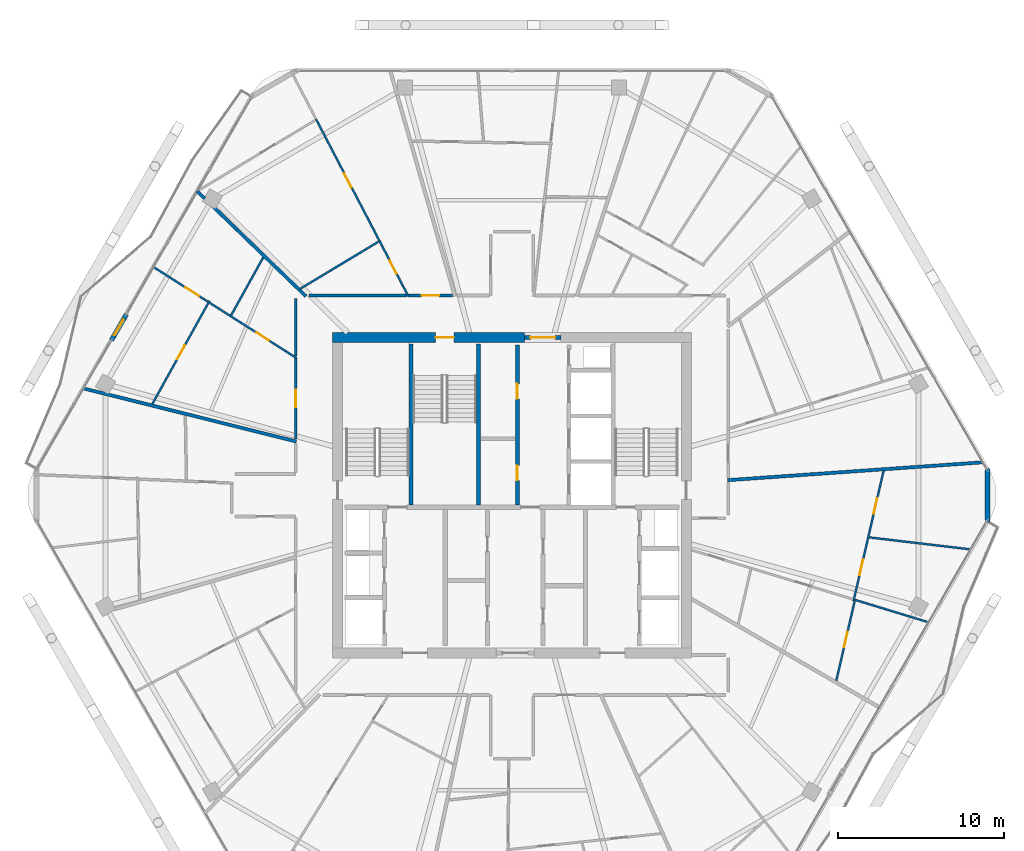
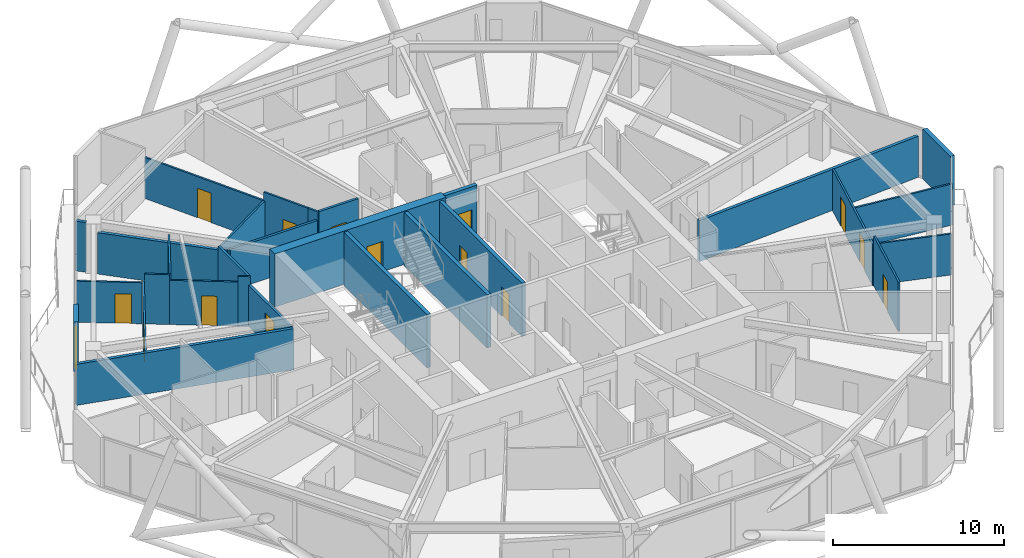
# One storey, part 23 of 29: 29 walls, 15 doors, 15 openings.
"""IFC4 building model written with IfcOpenShell, lengths in metres."""

from ifc_helpers import new_model, si_unit, direction, frame, frame_2d, origin, place, context, subcontext, project, spatial, rectangle, extrude, material, layer, layer_set, type_object, element, fill, save


model = new_model("IFC4")

# Units and contexts
model_context = context("Model", 3, precision=1e-05, world=origin(), true_north=direction((0.0, 1.0)))
body_context = subcontext(model_context, "Body", "Model", "MODEL_VIEW")
ifc_project = project(units=[si_unit("LENGTHUNIT", "METRE"), si_unit("AREAUNIT", "SQUARE_METRE"), si_unit("VOLUMEUNIT", "CUBIC_METRE"), si_unit("PLANEANGLEUNIT", "RADIAN"), si_unit("MASSUNIT", "GRAM", prefix="KILO")], contexts=[model_context])

# Site, building, storey
site_placement = place(None, origin())
site = spatial("IfcSite", under=ifc_project, at=site_placement, CompositionType="ELEMENT")
building_placement = place(site_placement, origin())
building = spatial("IfcBuilding", under=site, at=building_placement, Name="Zuhravey Tower", CompositionType="ELEMENT")
storey_placement = place(building_placement, frame((0.0, 0.0, 246.39990234375)))
storey = spatial("IfcBuildingStorey", under=building, at=storey_placement, Name="L62", CompositionType="ELEMENT", Elevation=246.39990234375)

# Wall, opening, door
ifc_material_1 = material(Name="Concrete C50/60", Category="concrete")
ifc_layer_1 = layer(ifc_material_1, 0.60009765625)
ifc_layer_set_1 = layer_set([ifc_layer_1], Name="Concrete C50/60")
wall_type_1 = type_object("IfcWallType", Name="Core Shear Wall 600", PredefinedType="SHEAR", material=ifc_layer_set_1)
wall_1_placement = place(storey_placement, frame((36.75, 41.5, 0.0), z_axis=(0.0, 0.0, 1.0), x_axis=(-1.0, 0.0, 0.0)))
wall_1 = element("IfcWall", 1, at=wall_1_placement, inside=storey, type_object=wall_type_1, Name="L62 North-West Core Shear Wall CW60", PredefinedType="SHEAR", context=body_context, shape_type="SweptSolid", body=[
    extrude(rectangle(XDim=11.550048828125, YDim=0.60009765625, at=frame_2d((5.77490234375, 0.0))), origin(), (0.0, 0.0, 1.0), 3.800048828125),
])
opening_1_placement = place(wall_1_placement, frame((4.25, 0.0, 0.0)))
opening_1 = element("IfcOpeningElement", 2, at=opening_1_placement, cuts=wall_1, Name="Opening STD1", PredefinedType="OPENING", context=body_context, shape_type="SweptSolid", body=[
    extrude(rectangle(XDim=1.10009765625, YDim=2.14990234375, at=frame_2d((0.550048828125, 1.074951171875))), frame((0.0, 0.31201171875, 0.0), z_axis=(0.0, -1.0, 0.0), x_axis=(1.0, 0.0, 0.0)), (0.0, 0.0, 1.0), 0.6240234375),
])
ifc_material_2 = material(Name="Galvanised fire-rated steel leaf", Category="steel")
door_type_1 = type_object("IfcDoorType", Name="Protected Stair Fire Door 1100x2150", OperationType="NOTDEFINED", PredefinedType="USERDEFINED", material=ifc_material_2)
door_1_placement = place(opening_1_placement, origin())
door_1 = element("IfcDoor", 3, at=door_1_placement, inside=storey, type_object=door_type_1, Name="L62 Stair ST3 Door", ObjectType="EXITDOOR", OperationType="SINGLE_SWING_LEFT", OverallHeight=2.14990234375, OverallWidth=1.10009765625, PredefinedType="USERDEFINED", context=body_context, shape_type="SweptSolid", body=[
    extrude(rectangle(XDim=1.10009765625, YDim=2.14990234375, at=frame_2d((0.550048828125, 1.074951171875))), frame((0.0, 0.02490234375, 0.0), z_axis=(0.0, -1.0, 0.0), x_axis=(1.0, 0.0, 0.0)), (0.0, 0.0, 1.0), 0.050048828125),
])
fill(opening_1, door_1)

ifc_material_3 = material(Name="Gypsum fire-rated stud partition")
ifc_layer_2 = layer(ifc_material_3, 0.159912109375)
ifc_layer_set_2 = layer_set([ifc_layer_2], Name="Gypsum fire-rated stud partition")
wall_type_2 = type_object("IfcWallType", Name="Corridor Fire Partition 160", PredefinedType="PARTITIONING", material=ifc_layer_set_2)
wall_2_placement = place(storey_placement, frame((32.415771484375, 44.030029296875, 0.0), z_axis=(0.0, 0.0, 1.0), x_axis=(-1.0, 0.0, 0.0)))
wall_2 = element("IfcWall", 4, at=wall_2_placement, inside=storey, type_object=wall_type_2, Name="L62 IW16 Partition 024", PredefinedType="PARTITIONING", context=body_context, shape_type="SweptSolid", body=[
    extrude(rectangle(XDim=2.660888671875, YDim=0.159912109375, at=frame_2d((1.33056640625, 0.0))), origin(), (0.0, 0.0, 1.0), 3.550048828125),
])
opening_2_placement = place(wall_2_placement, frame((0.805419921875, 0.0, 0.0)))
opening_2 = element("IfcOpeningElement", 5, at=opening_2_placement, cuts=wall_2, Name="Opening APD1", PredefinedType="OPENING", context=body_context, shape_type="SweptSolid", body=[
    extrude(rectangle(XDim=1.050048828125, YDim=2.14990234375, at=frame_2d((0.52490234375, 1.074951171875))), frame((0.0, 0.092041015625, 0.0), z_axis=(0.0, -1.0, 0.0), x_axis=(1.0, 0.0, 0.0)), (0.0, 0.0, 1.0), 0.183837890625),
])
ifc_material_4 = material(Name="Solid-core oak fire-rated leaf")
door_type_2 = type_object("IfcDoorType", Name="Apartment Entrance Fire Door 1050x2150", OperationType="NOTDEFINED", PredefinedType="DOOR", material=ifc_material_4)
door_2_placement = place(opening_2_placement, frame((1.050048828125, 0.0, 0.0), z_axis=(0.0, 0.0, 1.0), x_axis=(-1.0, 0.0, 0.0)))
door_2 = element("IfcDoor", 6, at=door_2_placement, inside=storey, type_object=door_type_2, Name="L62 Door 024.1", OperationType="SINGLE_SWING_RIGHT", OverallHeight=2.14990234375, OverallWidth=1.050048828125, PredefinedType="DOOR", context=body_context, shape_type="SweptSolid", body=[
    extrude(rectangle(XDim=1.050048828125, YDim=2.14990234375, at=frame_2d((0.52490234375, 1.074951171875))), frame((0.0, 0.02490234375, 0.0), z_axis=(0.0, -1.0, 0.0), x_axis=(1.0, 0.0, 0.0)), (0.0, 0.0, 1.0), 0.050048828125),
])
fill(opening_2, door_2)

wall_3_placement = place(storey_placement, frame((22.969970703125, 40.27099609375, 0.0), z_axis=(0.0, 0.0, 1.0), x_axis=(0.0, -1.0, 0.0)))
wall_3 = element("IfcWall", 7, at=wall_3_placement, inside=storey, type_object=wall_type_2, Name="L62 IW16 Partition 029", PredefinedType="PARTITIONING", context=body_context, shape_type="SweptSolid", body=[
    extrude(rectangle(XDim=4.880615234375, YDim=0.159912109375, at=frame_2d((2.4404296875, 0.0))), origin(), (0.0, 0.0, 1.0), 2.9501953125),
])
opening_3_placement = place(wall_3_placement, frame((1.915283203125, 0.0, 0.0)))
opening_3 = element("IfcOpeningElement", 8, at=opening_3_placement, cuts=wall_3, Name="Opening APD1", PredefinedType="OPENING", context=body_context, shape_type="SweptSolid", body=[
    extrude(rectangle(XDim=1.050048828125, YDim=2.14990234375, at=frame_2d((0.52490234375, 1.074951171875))), frame((0.0, 0.092041015625, 0.0), z_axis=(0.0, -1.0, 0.0), x_axis=(1.0, 0.0, 0.0)), (0.0, 0.0, 1.0), 0.183837890625),
])
door_3_placement = place(opening_3_placement, frame((1.050048828125, 0.0, 0.0), z_axis=(0.0, 0.0, 1.0), x_axis=(-1.0, 0.0, 0.0)))
door_3 = element("IfcDoor", 9, at=door_3_placement, inside=storey, type_object=door_type_2, Name="L62 Door 029.1", OperationType="SINGLE_SWING_RIGHT", OverallHeight=2.14990234375, OverallWidth=1.050048828125, PredefinedType="DOOR", context=body_context, shape_type="SweptSolid", body=[
    extrude(rectangle(XDim=1.050048828125, YDim=2.14990234375, at=frame_2d((0.52490234375, 1.074951171875))), frame((0.0, 0.02490234375, 0.0), z_axis=(0.0, -1.0, 0.0), x_axis=(1.0, 0.0, 0.0)), (0.0, 0.0, 1.0), 0.050048828125),
])
fill(opening_3, door_3)

# Walls
wall_4_placement = place(storey_placement, frame((29.655517578125, 44.030029296875, 0.0), z_axis=(0.0, 0.0, 1.0), x_axis=(-1.0, 0.0, 0.0)))
element("IfcWall", 10, at=wall_4_placement, inside=storey, type_object=wall_type_2, Name="L62 IW16 Partition 122", PredefinedType="PARTITIONING", context=body_context, shape_type="SweptSolid", body=[
    extrude(rectangle(XDim=5.868896484375, YDim=0.159912109375, at=frame_2d((2.9345703125, 0.0))), origin(), (0.0, 0.0, 1.0), 2.9501953125),
])
wall_5_placement = place(storey_placement, frame((22.969970703125, 43.85009765625, 0.0), z_axis=(0.0, 0.0, 1.0), x_axis=(0.0, -1.0, 0.0)))
element("IfcWall", 11, at=wall_5_placement, inside=storey, type_object=wall_type_2, Name="L62 IW16 Partition 123", PredefinedType="PARTITIONING", context=body_context, shape_type="SweptSolid", body=[
    extrude(rectangle(XDim=3.474853515625, YDim=0.159912109375, at=frame_2d((1.7373046875, 0.0))), origin(), (0.0, 0.0, 1.0), 3.550048828125),
])

# Wall, opening, door
ifc_material_5 = material(Name="Precast concrete C40/50", Category="concrete")
ifc_layer_3 = layer(ifc_material_5, 0.280029296875)
ifc_layer_set_3 = layer_set([ifc_layer_3], Name="Precast concrete C40/50")
wall_type_3 = type_object("IfcWallType", Name="Crown Architectural Wall 280", PredefinedType="SOLIDWALL", material=ifc_layer_set_3)
wall_6_placement = place(storey_placement, frame((11.872802734375, 41.337890625, 0.0), z_axis=(0.0, 0.0, 1.0), x_axis=(0.500041240653, 0.866001592173, 0.0)))
wall_6 = element("IfcWall", 12, at=wall_6_placement, inside=storey, type_object=wall_type_3, Name="L62 Face 3 Facade Pier EW28-1", PredefinedType="SOLIDWALL", context=body_context, shape_type="SweptSolid", body=[
    extrude(rectangle(XDim=1.789794921875, YDim=0.280029296875, at=frame_2d((0.89501953125, 0.0))), origin(), (0.0, 0.0, 1.0), 3.550048828125),
])
opening_4_placement = place(wall_6_placement, frame((0.344970703125, 0.0, 0.0)))
opening_4 = element("IfcOpeningElement", 13, at=opening_4_placement, cuts=wall_6, Name="Opening BLD1", PredefinedType="OPENING", context=body_context, shape_type="SweptSolid", body=[
    extrude(rectangle(XDim=1.10009765625, YDim=2.199951171875, at=frame_2d((0.550048828125, 1.10009765625))), frame((0.0, 0.152099609375, 0.0), z_axis=(0.0, -1.0, 0.0), x_axis=(1.0, 0.0, 0.0)), (0.0, 0.0, 1.0), 0.303955078125),
])
ifc_material_6 = material(Name="Thermally broken aluminium and low-E glass", Category="aluminium")
door_type_3 = type_object("IfcDoorType", Name="Balcony & Sky-Tray Glazed Door 1100x2200", OperationType="NOTDEFINED", PredefinedType="DOOR", material=ifc_material_6)
door_4_placement = place(opening_4_placement, frame((1.10009765625, 0.0, 0.0), z_axis=(0.0, 0.0, 1.0), x_axis=(-1.0, 0.0, 0.0)))
door_4 = element("IfcDoor", 14, at=door_4_placement, inside=storey, type_object=door_type_3, Name="L62 Face 3 Wave Balcony Door", OperationType="SINGLE_SWING_RIGHT", OverallHeight=2.199951171875, OverallWidth=1.10009765625, PredefinedType="DOOR", context=body_context, shape_type="SweptSolid", body=[
    extrude(rectangle(XDim=1.10009765625, YDim=2.199951171875, at=frame_2d((0.550048828125, 1.10009765625))), frame((0.0, 0.02490234375, 0.0), z_axis=(0.0, -1.0, 0.0), x_axis=(1.0, 0.0, 0.0)), (0.0, 0.0, 1.0), 0.050048828125),
])
fill(opening_4, door_4)

# Wall
wall_7_placement = place(storey_placement, frame((64.64501953125, 33.607421875, 0.0), z_axis=(0.0, 0.0, 1.0), x_axis=(0.0, -1.0, 0.0)))
element("IfcWall", 15, at=wall_7_placement, inside=storey, type_object=wall_type_3, Name="L62 Rounded Corner Closure Wall EW28-12", PredefinedType="SOLIDWALL", context=body_context, shape_type="SweptSolid", body=[
    extrude(rectangle(XDim=3.21484375, YDim=0.280029296875, at=frame_2d((1.607421875, 0.0))), origin(), (0.0, 0.0, 1.0), 3.550048828125),
])

# Wall, opening, door
ifc_layer_4 = layer(ifc_material_1, 0.25)
ifc_layer_set_4 = layer_set([ifc_layer_4], Name="Concrete C50/60")
wall_type_4 = type_object("IfcWallType", Name="Firefighting Shaft & Stair Wall 250", PredefinedType="SOLIDWALL", material=ifc_layer_set_4)
wall_8_placement = place(storey_placement, frame((36.760009765625, 41.5, 0.0), z_axis=(0.0, 0.0, 1.0), x_axis=(1.0, 0.0, 0.0)))
wall_8 = element("IfcWall", 16, at=wall_8_placement, inside=storey, type_object=wall_type_4, Name="L62 FW25 Shaft Wall 002", PredefinedType="SOLIDWALL", context=body_context, shape_type="SweptSolid", body=[
    extrude(rectangle(XDim=2.179931640625, YDim=0.25, at=frame_2d((1.08984375, 0.0))), origin(), (0.0, 0.0, 1.0), 3.800048828125),
])
opening_5_placement = place(wall_8_placement, frame((0.340087890625, 0.0, 0.0)))
opening_5 = element("IfcOpeningElement", 17, at=opening_5_placement, cuts=wall_8, Name="Opening FFD1", PredefinedType="OPENING", context=body_context, shape_type="SweptSolid", body=[
    extrude(rectangle(XDim=1.5, YDim=2.14990234375, at=frame_2d((0.75, 1.074951171875))), frame((0.0, 0.136962890625, 0.0), z_axis=(0.0, -1.0, 0.0), x_axis=(1.0, 0.0, 0.0)), (0.0, 0.0, 1.0), 0.27392578125),
])
door_type_4 = type_object("IfcDoorType", Name="Firefighting Lobby Double Door 1500x2150", OperationType="DOUBLE_DOOR_SINGLE_SWING", PredefinedType="DOOR", material=ifc_material_2)
door_5_placement = place(opening_5_placement, origin())
door_5 = element("IfcDoor", 18, at=door_5_placement, inside=storey, type_object=door_type_4, Name="L62 North Lift Lobby Exit Door", OperationType="DOUBLE_DOOR_SINGLE_SWING", OverallHeight=2.14990234375, OverallWidth=1.5, PredefinedType="DOOR", context=body_context, shape_type="SweptSolid", body=[
    extrude(rectangle(XDim=1.5, YDim=2.14990234375, at=frame_2d((0.75, 1.074951171875))), frame((0.0, 0.02490234375, 0.0), z_axis=(0.0, -1.0, 0.0), x_axis=(1.0, 0.0, 0.0)), (0.0, 0.0, 1.0), 0.050048828125),
])
fill(opening_5, door_5)

# Walls
for number, where, z_axis, x_axis, name in (
    (19, (29.925048828125, 31.39990234375, 0.0), (0.0, 0.0, 1.0), (0.0, 1.0, 0.0), "L62 FW25 Shaft Wall 004"),
    (20, (33.97509765625, 31.39990234375, 0.0), (0.0, 0.0, 1.0), (0.0, 1.0, 0.0), "L62 FW25 Shaft Wall 005"),
):
    element("IfcWall", number, at=place(storey_placement, frame(where, z_axis=z_axis, x_axis=x_axis)), inside=storey, type_object=wall_type_4, Name=name, PredefinedType="SOLIDWALL", context=body_context, shape_type="SweptSolid", body=[
        extrude(rectangle(XDim=9.7001953125, YDim=0.25, at=frame_2d((4.85009765625, 0.0))), origin(), (0.0, 0.0, 1.0), 3.800048828125),
    ])

# Wall, openings, doors
wall_9_placement = place(storey_placement, frame((36.324951171875, 31.39990234375, 0.0), z_axis=(0.0, 0.0, 1.0), x_axis=(0.0, 1.0, 0.0)))
wall_9 = element("IfcWall", 21, at=wall_9_placement, inside=storey, type_object=wall_type_4, Name="L62 FW25 Shaft Wall 007", PredefinedType="SOLIDWALL", context=body_context, shape_type="SweptSolid", body=[
    extrude(rectangle(XDim=9.650146484375, YDim=0.25, at=frame_2d((4.8251953125, 0.0))), origin(), (0.0, 0.0, 1.0), 3.800048828125),
])
opening_6_placement = place(wall_9_placement, frame((1.489990234375, 0.0, 0.0)))
opening_6 = element("IfcOpeningElement", 22, at=opening_6_placement, cuts=wall_9, Name="Opening RSD1", PredefinedType="OPENING", context=body_context, shape_type="SweptSolid", body=[
    extrude(rectangle(XDim=0.89990234375, YDim=2.10009765625, at=frame_2d((0.449951171875, 1.050048828125))), frame((0.0, 0.136962890625, 0.0), z_axis=(0.0, -1.0, 0.0), x_axis=(1.0, 0.0, 0.0)), (0.0, 0.0, 1.0), 0.27392578125),
])
opening_7_placement = place(wall_9_placement, frame((6.409912109375, 0.0, 0.0)))
opening_7 = element("IfcOpeningElement", 23, at=opening_7_placement, cuts=wall_9, Name="Opening RSD1", PredefinedType="OPENING", context=body_context, shape_type="SweptSolid", body=[
    extrude(rectangle(XDim=0.89990234375, YDim=2.10009765625, at=frame_2d((0.449951171875, 1.050048828125))), frame((0.0, 0.136962890625, 0.0), z_axis=(0.0, -1.0, 0.0), x_axis=(1.0, 0.0, 0.0)), (0.0, 0.0, 1.0), 0.27392578125),
])
ifc_material_7 = material(Name="Galvanised fire-rated steel access leaf", Category="steel")
door_type_5 = type_object("IfcDoorType", Name="Riser & Shaft Access Fire Door 900x2100", OperationType="NOTDEFINED", PredefinedType="DOOR", material=ifc_material_7)
door_6_placement = place(opening_6_placement, origin())
door_6 = element("IfcDoor", 24, at=door_6_placement, inside=storey, type_object=door_type_5, Name="L62 Core Cleaner Store Door", OperationType="SINGLE_SWING_LEFT", OverallHeight=2.10009765625, OverallWidth=0.89990234375, PredefinedType="DOOR", context=body_context, shape_type="SweptSolid", body=[
    extrude(rectangle(XDim=0.89990234375, YDim=2.10009765625, at=frame_2d((0.449951171875, 1.050048828125))), frame((0.0, 0.02490234375, 0.0), z_axis=(0.0, -1.0, 0.0), x_axis=(1.0, 0.0, 0.0)), (0.0, 0.0, 1.0), 0.050048828125),
])
fill(opening_6, door_6)
door_7_placement = place(opening_7_placement, origin())
door_7 = element("IfcDoor", 25, at=door_7_placement, inside=storey, type_object=door_type_5, Name="L62 Core Pantry and Tea Room Door", OperationType="SINGLE_SWING_RIGHT", OverallHeight=2.10009765625, OverallWidth=0.89990234375, PredefinedType="DOOR", context=body_context, shape_type="SweptSolid", body=[
    extrude(rectangle(XDim=0.89990234375, YDim=2.10009765625, at=frame_2d((0.449951171875, 1.050048828125))), frame((0.0, 0.02490234375, 0.0), z_axis=(0.0, -1.0, 0.0), x_axis=(1.0, 0.0, 0.0)), (0.0, 0.0, 1.0), 0.050048828125),
])
fill(opening_7, door_7)

# Walls
ifc_material_8 = material(Name="Gypsum double-stud party assembly")
ifc_layer_5 = layer(ifc_material_8, 0.199951171875)
ifc_layer_set_5 = layer_set([ifc_layer_5], Name="Gypsum double-stud party assembly")
wall_type_5 = type_object("IfcWallType", Name="Inter-Tenancy Party Wall 200", PredefinedType="PARTITIONING", material=ifc_layer_set_5)
wall_10_placement = place(storey_placement, frame((23.583984375, 43.989990234375, 0.0), z_axis=(0.0, 0.0, 1.0), x_axis=(-0.719338080926, 0.694660150958, 0.0)))
element("IfcWall", 26, at=wall_10_placement, inside=storey, type_object=wall_type_5, Name="L62 IW20 Partition 078", PredefinedType="PARTITIONING", context=body_context, shape_type="SweptSolid", body=[
    extrude(rectangle(XDim=7.76611328125, YDim=0.199951171875, at=frame_2d((3.883056640625, 0.0))), origin(), (0.0, 0.0, 1.0), 2.9501953125),
])
wall_11_placement = place(storey_placement, frame((17.486328125, 49.87841796875, 0.0), z_axis=(0.0, 0.0, 1.0), x_axis=(-0.719422178176, 0.694573055587, 0.0)))
element("IfcWall", 27, at=wall_11_placement, inside=storey, type_object=wall_type_5, Name="L62 IW20 Partition 079", PredefinedType="PARTITIONING", context=body_context, shape_type="SweptSolid", body=[
    extrude(rectangle(XDim=0.609130859375, YDim=0.199951171875, at=frame_2d((0.3046875, 0.0))), origin(), (0.0, 0.0, 1.0), 3.550048828125),
])
wall_12_placement = place(storey_placement, frame((23.010009765625, 35.23876953125, 0.0), z_axis=(0.0, 0.0, 1.0), x_axis=(-0.970296722433, 0.241917900197, 0.0)))
element("IfcWall", 28, at=wall_12_placement, inside=storey, type_object=wall_type_5, Name="L62 IW20 Partition 082", PredefinedType="PARTITIONING", context=body_context, shape_type="SweptSolid", body=[
    extrude(rectangle(XDim=13.206298828125, YDim=0.199951171875, at=frame_2d((6.60302734375, 0.0))), origin(), (0.0, 0.0, 1.0), 2.93017578125),
])
wall_13_placement = place(storey_placement, frame((48.989990234375, 32.908203125, 0.0), z_axis=(0.0, 0.0, 1.0), x_axis=(0.997563993595, 0.069757284087, 0.0)))
element("IfcWall", 29, at=wall_13_placement, inside=storey, type_object=wall_type_5, Name="L62 IW20 Partition 108", PredefinedType="PARTITIONING", context=body_context, shape_type="SweptSolid", body=[
    extrude(rectangle(XDim=15.42041015625, YDim=0.199951171875, at=frame_2d((7.710205078125, 0.0))), origin(), (0.0, 0.0, 1.0), 2.93017578125),
])

# Wall, opening, door
ifc_material_9 = material(Name="Gypsum metal-stud partition")
ifc_layer_6 = layer(ifc_material_9, 0.1201171875)
ifc_layer_set_6 = layer_set([ifc_layer_6], Name="Gypsum metal-stud partition")
wall_type_6 = type_object("IfcWallType", Name="Unit Internal Partition 120", PredefinedType="PARTITIONING", material=ifc_layer_set_6)
wall_14_placement = place(storey_placement, frame((29.435302734375, 44.60009765625, 0.0), z_axis=(0.0, 0.0, 1.0), x_axis=(-0.462075917285, 0.886840372708, 0.0)))
wall_14 = element("IfcWall", 30, at=wall_14_placement, inside=storey, type_object=wall_type_6, Name="L62 IW12 Partition 021", PredefinedType="PARTITIONING", context=body_context, shape_type="SweptSolid", body=[
    extrude(rectangle(XDim=3.081787109375, YDim=0.1201171875, at=frame_2d((1.541015625, 0.0))), origin(), (0.0, 0.0, 1.0), 3.550048828125),
])
opening_8_placement = place(wall_14_placement, frame((0.844482421875, 0.0, 0.0)))
opening_8 = element("IfcOpeningElement", 31, at=opening_8_placement, cuts=wall_14, Name="Opening WCD1", PredefinedType="OPENING", context=body_context, shape_type="SweptSolid", body=[
    extrude(rectangle(XDim=0.89990234375, YDim=2.10009765625, at=frame_2d((0.449951171875, 1.050048828125))), frame((0.0, 0.072021484375, 0.0), z_axis=(0.0, -1.0, 0.0), x_axis=(1.0, 0.0, 0.0)), (0.0, 0.0, 1.0), 0.14404296875),
])
ifc_material_10 = material(Name="Moisture-resistant timber leaf", Category="wood")
door_type_6 = type_object("IfcDoorType", Name="Bathroom & WC Internal Door 900x2100", OperationType="NOTDEFINED", PredefinedType="DOOR", material=ifc_material_10)
door_8_placement = place(opening_8_placement, origin())
door_8 = element("IfcDoor", 32, at=door_8_placement, inside=storey, type_object=door_type_6, Name="Apartment L62-01 Bathroom Door", OperationType="SINGLE_SWING_LEFT", OverallHeight=2.10009765625, OverallWidth=0.89990234375, PredefinedType="DOOR", context=body_context, shape_type="SweptSolid", body=[
    extrude(rectangle(XDim=0.89990234375, YDim=2.10009765625, at=frame_2d((0.449951171875, 1.050048828125))), frame((0.0, 0.02490234375, 0.0), z_axis=(0.0, -1.0, 0.0), x_axis=(1.0, 0.0, 0.0)), (0.0, 0.0, 1.0), 0.050048828125),
])
fill(opening_8, door_8)

wall_15_placement = place(storey_placement, frame((28.01123046875, 47.333251953125, 0.0), z_axis=(0.0, 0.0, 1.0), x_axis=(-0.46205322058, 0.886852198143, 0.0)))
wall_15 = element("IfcWall", 33, at=wall_15_placement, inside=storey, type_object=wall_type_6, Name="L62 IW12 Partition 022", PredefinedType="PARTITIONING", context=body_context, shape_type="SweptSolid", body=[
    extrude(rectangle(XDim=8.250732421875, YDim=0.1201171875, at=frame_2d((4.12548828125, 0.0))), origin(), (0.0, 0.0, 1.0), 2.93017578125),
])
opening_9_placement = place(wall_15_placement, frame((3.625244140625, 0.0, 0.0)))
opening_9 = element("IfcOpeningElement", 34, at=opening_9_placement, cuts=wall_15, Name="Opening IND1", PredefinedType="OPENING", context=body_context, shape_type="SweptSolid", body=[
    extrude(rectangle(XDim=0.949951171875, YDim=2.10009765625, at=frame_2d((0.47509765625, 1.050048828125))), frame((0.0, 0.072021484375, 0.0), z_axis=(0.0, -1.0, 0.0), x_axis=(1.0, 0.0, 0.0)), (0.0, 0.0, 1.0), 0.14404296875),
])
ifc_material_11 = material(Name="Painted engineered timber leaf", Category="wood")
door_type_7 = type_object("IfcDoorType", Name="Internal Room & Bedroom Door 950x2100", OperationType="NOTDEFINED", PredefinedType="DOOR", material=ifc_material_11)
door_9_placement = place(opening_9_placement, origin())
door_9 = element("IfcDoor", 35, at=door_9_placement, inside=storey, type_object=door_type_7, Name="Apartment L62-01 Home Office Door", OperationType="SINGLE_SWING_RIGHT", OverallHeight=2.10009765625, OverallWidth=0.949951171875, PredefinedType="DOOR", context=body_context, shape_type="SweptSolid", body=[
    extrude(rectangle(XDim=0.949951171875, YDim=2.10009765625, at=frame_2d((0.47509765625, 1.050048828125))), frame((0.0, 0.02490234375, 0.0), z_axis=(0.0, -1.0, 0.0), x_axis=(1.0, 0.0, 0.0)), (0.0, 0.0, 1.0), 0.050048828125),
])
fill(opening_9, door_9)

wall_16_placement = place(storey_placement, frame((17.781494140625, 43.716064453125, 0.0), z_axis=(0.0, 0.0, 1.0), x_axis=(-0.484799862098, -0.874625116098, 0.0)))
wall_16 = element("IfcWall", 36, at=wall_16_placement, inside=storey, type_object=wall_type_6, Name="L62 IW12 Partition 025", PredefinedType="PARTITIONING", context=body_context, shape_type="SweptSolid", body=[
    extrude(rectangle(XDim=7.107666015625, YDim=0.1201171875, at=frame_2d((3.5537109375, 0.0))), origin(), (0.0, 0.0, 1.0), 2.9501953125),
])
opening_10_placement = place(wall_16_placement, frame((3.078857421875, 0.0, 0.0)))
opening_10 = element("IfcOpeningElement", 37, at=opening_10_placement, cuts=wall_16, Name="Opening IND1", PredefinedType="OPENING", context=body_context, shape_type="SweptSolid", body=[
    extrude(rectangle(XDim=0.949951171875, YDim=2.10009765625, at=frame_2d((0.47509765625, 1.050048828125))), frame((0.0, 0.072021484375, 0.0), z_axis=(0.0, -1.0, 0.0), x_axis=(1.0, 0.0, 0.0)), (0.0, 0.0, 1.0), 0.14404296875),
])
door_10_placement = place(opening_10_placement, frame((0.949951171875, 0.0, 0.0), z_axis=(0.0, 0.0, 1.0), x_axis=(-1.0, 0.0, 0.0)))
door_10 = element("IfcDoor", 38, at=door_10_placement, inside=storey, type_object=door_type_7, Name="Apartment L62-02 Family Study Door", OperationType="SINGLE_SWING_LEFT", OverallHeight=2.10009765625, OverallWidth=0.949951171875, PredefinedType="DOOR", context=body_context, shape_type="SweptSolid", body=[
    extrude(rectangle(XDim=0.949951171875, YDim=2.10009765625, at=frame_2d((0.47509765625, 1.050048828125))), frame((0.0, 0.02490234375, 0.0), z_axis=(0.0, -1.0, 0.0), x_axis=(1.0, 0.0, 0.0)), (0.0, 0.0, 1.0), 0.050048828125),
])
fill(opening_10, door_10)

wall_17_placement = place(storey_placement, frame((22.39990234375, 40.657470703125, 0.0), z_axis=(0.0, 0.0, 1.0), x_axis=(-0.843568310758, 0.537021885109, 0.0)))
wall_17 = element("IfcWall", 39, at=wall_17_placement, inside=storey, type_object=wall_type_6, Name="L62 IW12 Partition 026", PredefinedType="PARTITIONING", context=body_context, shape_type="SweptSolid", body=[
    extrude(rectangle(XDim=3.992431640625, YDim=0.1201171875, at=frame_2d((1.99609375, 0.0))), origin(), (0.0, 0.0, 1.0), 3.150146484375),
])
opening_11_placement = place(wall_17_placement, frame((1.226806640625, 0.0, 0.0)))
opening_11 = element("IfcOpeningElement", 40, at=opening_11_placement, cuts=wall_17, Name="Opening WCD1", PredefinedType="OPENING", context=body_context, shape_type="SweptSolid", body=[
    extrude(rectangle(XDim=0.89990234375, YDim=2.10009765625, at=frame_2d((0.449951171875, 1.050048828125))), frame((0.0, 0.072021484375, 0.0), z_axis=(0.0, -1.0, 0.0), x_axis=(1.0, 0.0, 0.0)), (0.0, 0.0, 1.0), 0.14404296875),
])
door_11_placement = place(opening_11_placement, frame((0.89990234375, 0.0, 0.0), z_axis=(0.0, 0.0, 1.0), x_axis=(-1.0, 0.0, 0.0)))
door_11 = element("IfcDoor", 41, at=door_11_placement, inside=storey, type_object=door_type_6, Name="Apartment L62-02 Bathroom Door", OperationType="SINGLE_SWING_RIGHT", OverallHeight=2.10009765625, OverallWidth=0.89990234375, PredefinedType="DOOR", context=body_context, shape_type="SweptSolid", body=[
    extrude(rectangle(XDim=0.89990234375, YDim=2.10009765625, at=frame_2d((0.449951171875, 1.050048828125))), frame((0.0, 0.02490234375, 0.0), z_axis=(0.0, -1.0, 0.0), x_axis=(1.0, 0.0, 0.0)), (0.0, 0.0, 1.0), 0.050048828125),
])
fill(opening_11, door_11)

# Wall
wall_18_placement = place(storey_placement, frame((19.031982421875, 42.801513671875, 0.0), z_axis=(0.0, 0.0, 1.0), x_axis=(-0.843627335813, 0.536929155727, 0.0)))
element("IfcWall", 42, at=wall_18_placement, inside=storey, type_object=wall_type_6, Name="L62 IW12 Partition 027", PredefinedType="PARTITIONING", context=body_context, shape_type="SweptSolid", body=[
    extrude(rectangle(XDim=1.471923828125, YDim=0.1201171875, at=frame_2d((0.73583984375, 0.0))), origin(), (0.0, 0.0, 1.0), 3.550048828125),
])

# Wall, opening, door
wall_19_placement = place(storey_placement, frame((17.675537109375, 43.6650390625, 0.0), z_axis=(0.0, 0.0, 1.0), x_axis=(-0.843578359507, 0.537006099939, 0.0)))
wall_19 = element("IfcWall", 43, at=wall_19_placement, inside=storey, type_object=wall_type_6, Name="L62 IW12 Partition 028", PredefinedType="PARTITIONING", context=body_context, shape_type="SweptSolid", body=[
    extrude(rectangle(XDim=3.870361328125, YDim=0.1201171875, at=frame_2d((1.93505859375, 0.0))), origin(), (0.0, 0.0, 1.0), 2.93017578125),
])
opening_12_placement = place(wall_19_placement, frame((0.631103515625, 0.0, 0.0)))
opening_12 = element("IfcOpeningElement", 44, at=opening_12_placement, cuts=wall_19, Name="Opening IND1", PredefinedType="OPENING", context=body_context, shape_type="SweptSolid", body=[
    extrude(rectangle(XDim=0.949951171875, YDim=2.10009765625, at=frame_2d((0.47509765625, 1.050048828125))), frame((0.0, 0.072021484375, 0.0), z_axis=(0.0, -1.0, 0.0), x_axis=(1.0, 0.0, 0.0)), (0.0, 0.0, 1.0), 0.14404296875),
])
door_12_placement = place(opening_12_placement, frame((0.949951171875, 0.0, 0.0), z_axis=(0.0, 0.0, 1.0), x_axis=(-1.0, 0.0, 0.0)))
door_12 = element("IfcDoor", 45, at=door_12_placement, inside=storey, type_object=door_type_7, Name="Apartment L62-02 Kitchen Door", OperationType="SINGLE_SWING_LEFT", OverallHeight=2.10009765625, OverallWidth=0.949951171875, PredefinedType="DOOR", context=body_context, shape_type="SweptSolid", body=[
    extrude(rectangle(XDim=0.949951171875, YDim=2.10009765625, at=frame_2d((0.47509765625, 1.050048828125))), frame((0.0, 0.02490234375, 0.0), z_axis=(0.0, -1.0, 0.0), x_axis=(1.0, 0.0, 0.0)), (0.0, 0.0, 1.0), 0.050048828125),
])
fill(opening_12, door_12)

# Wall, openings, doors
wall_20_placement = place(storey_placement, frame((56.5712890625, 25.621826171875, 0.0), z_axis=(0.0, 0.0, 1.0), x_axis=(0.224956917684, 0.974368711108, 0.0)))
wall_20 = element("IfcWall", 46, at=wall_20_placement, inside=storey, type_object=wall_type_6, Name="L62 IW12 Partition 052", PredefinedType="PARTITIONING", context=body_context, shape_type="SweptSolid", body=[
    extrude(rectangle(XDim=8.053955078125, YDim=0.1201171875, at=frame_2d((4.02685546875, 0.0))), origin(), (0.0, 0.0, 1.0), 2.9501953125),
])
opening_13_placement = place(wall_20_placement, frame((1.619384765625, 0.0, 0.0)))
opening_13 = element("IfcOpeningElement", 47, at=opening_13_placement, cuts=wall_20, Name="Opening IND1", PredefinedType="OPENING", context=body_context, shape_type="SweptSolid", body=[
    extrude(rectangle(XDim=0.949951171875, YDim=2.10009765625, at=frame_2d((0.47509765625, 1.050048828125))), frame((0.0, 0.072021484375, 0.0), z_axis=(0.0, -1.0, 0.0), x_axis=(1.0, 0.0, 0.0)), (0.0, 0.0, 1.0), 0.14404296875),
])
opening_14_placement = place(wall_20_placement, frame((5.405517578125, 0.0, 0.0)))
opening_14 = element("IfcOpeningElement", 48, at=opening_14_placement, cuts=wall_20, Name="Opening IND1", PredefinedType="OPENING", context=body_context, shape_type="SweptSolid", body=[
    extrude(rectangle(XDim=0.949951171875, YDim=2.10009765625, at=frame_2d((0.47509765625, 1.050048828125))), frame((0.0, 0.072021484375, 0.0), z_axis=(0.0, -1.0, 0.0), x_axis=(1.0, 0.0, 0.0)), (0.0, 0.0, 1.0), 0.14404296875),
])
door_13_placement = place(opening_13_placement, frame((0.949951171875, 0.0, 0.0), z_axis=(0.0, 0.0, 1.0), x_axis=(-1.0, 0.0, 0.0)))
door_13 = element("IfcDoor", 49, at=door_13_placement, inside=storey, type_object=door_type_7, Name="Apartment L62-08 Family Study Door", OperationType="SINGLE_SWING_LEFT", OverallHeight=2.10009765625, OverallWidth=0.949951171875, PredefinedType="DOOR", context=body_context, shape_type="SweptSolid", body=[
    extrude(rectangle(XDim=0.949951171875, YDim=2.10009765625, at=frame_2d((0.47509765625, 1.050048828125))), frame((0.0, 0.02490234375, 0.0), z_axis=(0.0, -1.0, 0.0), x_axis=(1.0, 0.0, 0.0)), (0.0, 0.0, 1.0), 0.050048828125),
])
fill(opening_13, door_13)
door_14_placement = place(opening_14_placement, frame((0.949951171875, 0.0, 0.0), z_axis=(0.0, 0.0, 1.0), x_axis=(-1.0, 0.0, 0.0)))
door_14 = element("IfcDoor", 50, at=door_14_placement, inside=storey, type_object=door_type_7, Name="Apartment L62-08 Dining Room Door", OperationType="SINGLE_SWING_RIGHT", OverallHeight=2.10009765625, OverallWidth=0.949951171875, PredefinedType="DOOR", context=body_context, shape_type="SweptSolid", body=[
    extrude(rectangle(XDim=0.949951171875, YDim=2.10009765625, at=frame_2d((0.47509765625, 1.050048828125))), frame((0.0, 0.02490234375, 0.0), z_axis=(0.0, -1.0, 0.0), x_axis=(1.0, 0.0, 0.0)), (0.0, 0.0, 1.0), 0.050048828125),
])
fill(opening_14, door_14)

# Wall, opening, door
wall_21_placement = place(storey_placement, frame((55.535400390625, 20.83251953125, 0.0), z_axis=(0.0, 0.0, 1.0), x_axis=(0.224979599368, 0.974363474207, 0.0)))
wall_21 = element("IfcWall", 51, at=wall_21_placement, inside=storey, type_object=wall_type_6, Name="L62 IW12 Partition 055", PredefinedType="PARTITIONING", context=body_context, shape_type="SweptSolid", body=[
    extrude(rectangle(XDim=4.8994140625, YDim=0.1201171875, at=frame_2d((2.44970703125, 0.0))), origin(), (0.0, 0.0, 1.0), 3.550048828125),
])
opening_15_placement = place(wall_21_placement, frame((2.07275390625, 0.0, 0.0)))
opening_15 = element("IfcOpeningElement", 52, at=opening_15_placement, cuts=wall_21, Name="Opening IND1", PredefinedType="OPENING", context=body_context, shape_type="SweptSolid", body=[
    extrude(rectangle(XDim=0.949951171875, YDim=2.10009765625, at=frame_2d((0.47509765625, 1.050048828125))), frame((0.0, 0.072021484375, 0.0), z_axis=(0.0, -1.0, 0.0), x_axis=(1.0, 0.0, 0.0)), (0.0, 0.0, 1.0), 0.14404296875),
])
door_15_placement = place(opening_15_placement, frame((0.949951171875, 0.0, 0.0), z_axis=(0.0, 0.0, 1.0), x_axis=(-1.0, 0.0, 0.0)))
door_15 = element("IfcDoor", 53, at=door_15_placement, inside=storey, type_object=door_type_7, Name="Apartment L62-08 Bedroom 1 Door", OperationType="SINGLE_SWING_LEFT", OverallHeight=2.10009765625, OverallWidth=0.949951171875, PredefinedType="DOOR", context=body_context, shape_type="SweptSolid", body=[
    extrude(rectangle(XDim=0.949951171875, YDim=2.10009765625, at=frame_2d((0.47509765625, 1.050048828125))), frame((0.0, 0.02490234375, 0.0), z_axis=(0.0, -1.0, 0.0), x_axis=(1.0, 0.0, 0.0)), (0.0, 0.0, 1.0), 0.050048828125),
])
fill(opening_15, door_15)

# Walls
wall_22_placement = place(storey_placement, frame((29.754150390625, 43.98779296875, 0.0), z_axis=(0.0, 0.0, 1.0), x_axis=(-0.461864870983, 0.886950303541, 0.0)))
element("IfcWall", 54, at=wall_22_placement, inside=storey, type_object=wall_type_6, Name="L62 IW12 Partition 075", PredefinedType="PARTITIONING", context=body_context, shape_type="SweptSolid", body=[
    extrude(rectangle(XDim=0.6904296875, YDim=0.1201171875, at=frame_2d((0.34521484375, 0.0))), origin(), (0.0, 0.0, 1.0), 3.550048828125),
])
wall_23_placement = place(storey_placement, frame((27.96435546875, 47.27587890625, 0.0), z_axis=(0.0, 0.0, 1.0), x_axis=(-0.857162223485, -0.515046524724, 0.0)))
element("IfcWall", 55, at=wall_23_placement, inside=storey, type_object=wall_type_6, Name="L62 IW12 Partition 077", PredefinedType="PARTITIONING", context=body_context, shape_type="SweptSolid", body=[
    extrude(rectangle(XDim=5.539794921875, YDim=0.1201171875, at=frame_2d((2.77001953125, 0.0))), origin(), (0.0, 0.0, 1.0), 2.9501953125),
])
wall_24_placement = place(storey_placement, frame((23.00732421875, 40.27099609375, 0.0), z_axis=(0.0, 0.0, 1.0), x_axis=(-0.843703375108, 0.536809663503, 0.0)))
element("IfcWall", 56, at=wall_24_placement, inside=storey, type_object=wall_type_6, Name="L62 IW12 Partition 080", PredefinedType="PARTITIONING", context=body_context, shape_type="SweptSolid", body=[
    extrude(rectangle(XDim=0.719970703125, YDim=0.1201171875, at=frame_2d((0.35986328125, 0.0))), origin(), (0.0, 0.0, 1.0), 3.550048828125),
])
wall_25_placement = place(storey_placement, frame((21.0126953125, 46.322998046875, 0.0), z_axis=(0.0, 0.0, 1.0), x_axis=(-0.484828920672, -0.874609008461, 0.0)))
element("IfcWall", 57, at=wall_25_placement, inside=storey, type_object=wall_type_6, Name="L62 IW12 Partition 081", PredefinedType="PARTITIONING", context=body_context, shape_type="SweptSolid", body=[
    extrude(rectangle(XDim=3.9736328125, YDim=0.1201171875, at=frame_2d((1.98681640625, 0.0))), origin(), (0.0, 0.0, 1.0), 3.550048828125),
])
wall_26_placement = place(storey_placement, frame((57.527099609375, 29.459716796875, 0.0), z_axis=(0.0, 0.0, 1.0), x_axis=(0.993110118833, -0.117184861953, 0.0)))
element("IfcWall", 58, at=wall_26_placement, inside=storey, type_object=wall_type_6, Name="L62 IW12 Partition 105", PredefinedType="PARTITIONING", context=body_context, shape_type="SweptSolid", body=[
    extrude(rectangle(XDim=6.18359375, YDim=0.1201171875, at=frame_2d((3.091796875, 0.0))), origin(), (0.0, 0.0, 1.0), 2.93017578125),
])
wall_27_placement = place(storey_placement, frame((56.6591796875, 25.69970703125, 0.0), z_axis=(0.0, 0.0, 1.0), x_axis=(0.9564987051, -0.291736571484, 0.0)))
element("IfcWall", 59, at=wall_27_placement, inside=storey, type_object=wall_type_6, Name="L62 IW12 Partition 106", PredefinedType="PARTITIONING", context=body_context, shape_type="SweptSolid", body=[
    extrude(rectangle(XDim=4.646240234375, YDim=0.1201171875, at=frame_2d((2.3232421875, 0.0))), origin(), (0.0, 0.0, 1.0), 2.93017578125),
])

save(model, "model.ifc")
